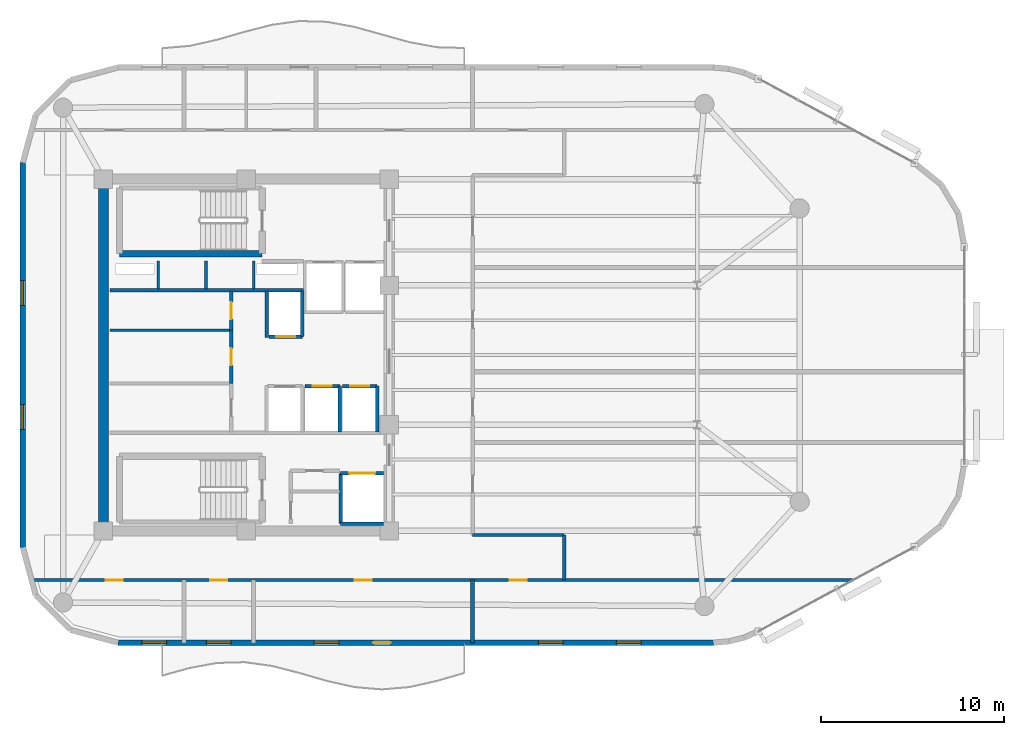
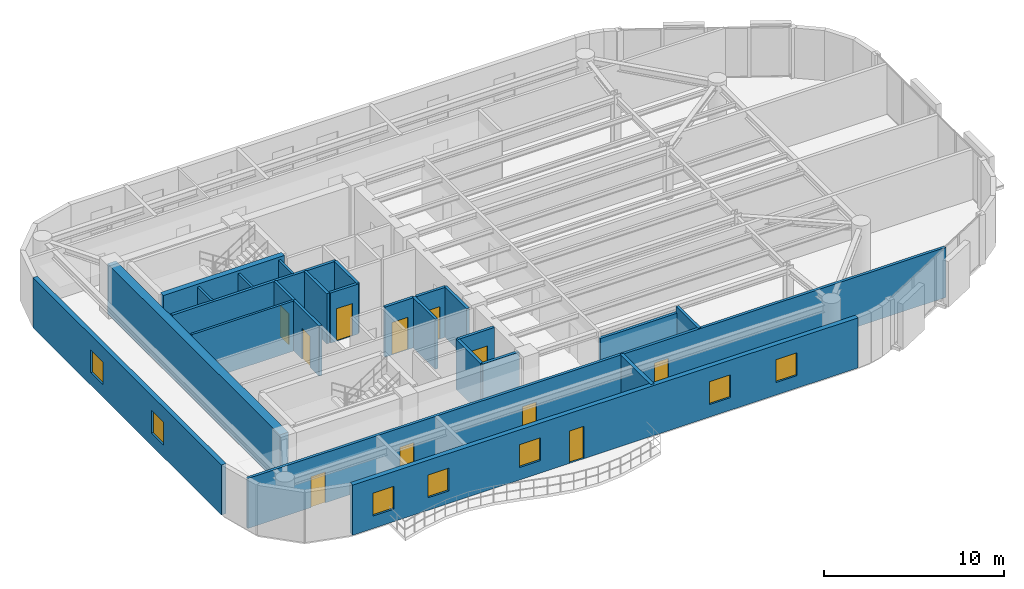
# One storey, part 9 of 13: 25 walls, 11 doors, 7 windows, 18 openings.
"""IFC4 building model written with IfcOpenShell, lengths in metres."""

from ifc_helpers import new_model, si_unit, direction, frame, frame_2d, origin, place, context, subcontext, project, spatial, rectangle, extrude, material, layer, layer_set, type_object, element, fill, save


model = new_model("IFC4")

# Units and contexts
model_context = context("Model", 3, precision=1e-05, world=origin(), true_north=direction((0.0, 1.0)))
body_context = subcontext(model_context, "Body", "Model", "MODEL_VIEW")
ifc_project = project(units=[si_unit("LENGTHUNIT", "METRE"), si_unit("AREAUNIT", "SQUARE_METRE"), si_unit("VOLUMEUNIT", "CUBIC_METRE"), si_unit("PLANEANGLEUNIT", "RADIAN"), si_unit("MASSUNIT", "GRAM", prefix="KILO")], contexts=[model_context])

# Site, building, storey
site_placement = place(None, origin())
site = spatial("IfcSite", under=ifc_project, at=site_placement, CompositionType="ELEMENT")
building_placement = place(site_placement, origin())
building = spatial("IfcBuilding", under=site, at=building_placement, Name="An Khanh Terracotta Commons", CompositionType="ELEMENT")
storey_placement = place(building_placement, frame((0.0, 0.0, 222.89990234375)))
storey = spatial("IfcBuildingStorey", under=building, at=storey_placement, Name="L58", CompositionType="ELEMENT", Elevation=222.89990234375)

# Walls
ifc_material_1 = material(Name="Concrete C50/60", Category="concrete")
ifc_layer_1 = layer(ifc_material_1, 0.550048828125, Name="Concrete C50/60")
ifc_layer_set_1 = layer_set([ifc_layer_1], Name="Concrete C50/60")
wall_type_1 = type_object("IfcWallType", Name="WALL-CORE-550", PredefinedType="SHEAR", material=ifc_layer_set_1)
wall_1_placement = place(storey_placement, frame((21.60009765625, 14.39990234375, 0.0), z_axis=(0.0, 0.0, 1.0), x_axis=(0.0, 1.0, 0.0)))
element("IfcWall", 1, at=wall_1_placement, inside=storey, type_object=wall_type_1, Name="L58 Core Wall CWALL-L58-W", PredefinedType="SHEAR", context=body_context, shape_type="SweptSolid", body=[
    extrude(rectangle(XDim=19.2001953125, YDim=0.550048828125, at=frame_2d((9.60009765625, 0.0))), origin(), (0.0, 0.0, 1.0), 3.400146484375),
])
ifc_material_2 = material(Name="Fire-Rated Gypsum Board on Steel Stud", Category="steel")
ifc_layer_2 = layer(ifc_material_2, 0.179931640625, Name="Fire-Rated Gypsum Board on Steel Stud")
ifc_layer_set_2 = layer_set([ifc_layer_2], Name="Fire-Rated Gypsum Board on Steel Stud")
wall_type_2 = type_object("IfcWallType", Name="WALL-CORR-180", PredefinedType="PARTITIONING", material=ifc_layer_set_2)
wall_2_placement = place(storey_placement, frame((21.949951171875, 27.5400390625, 0.0), z_axis=(0.0, 0.0, 1.0), x_axis=(1.0, 0.0, 0.0)))
element("IfcWall", 2, at=wall_2_placement, inside=storey, type_object=wall_type_2, Name="L58 Core Wall RSRW-L58-S", PredefinedType="PARTITIONING", context=body_context, shape_type="SweptSolid", body=[
    extrude(rectangle(XDim=10.56005859375, YDim=0.179931640625, at=frame_2d((5.280029296875, 0.0))), origin(), (0.0, 0.0, 1.0), 3.400146484375),
])

# Wall, opening, door
wall_3_placement = place(storey_placement, frame((34.550048828125, 17.550048828125, 0.0), z_axis=(0.0, 0.0, 1.0), x_axis=(1.0, 0.0, 0.0)))
wall_3 = element("IfcWall", 3, at=wall_3_placement, inside=storey, type_object=wall_type_2, Name="L58 Core Wall LSH-L58-SVL-01-N", PredefinedType="PARTITIONING", context=body_context, shape_type="SweptSolid", body=[
    extrude(rectangle(XDim=2.349853515625, YDim=0.179931640625, at=frame_2d((1.1748046875, 0.0))), origin(), (0.0, 0.0, 1.0), 3.400146484375),
])
opening_1_placement = place(wall_3_placement, frame((0.47509765625, 0.0, 0.0)))
opening_1 = element("IfcOpeningElement", 4, at=opening_1_placement, cuts=wall_3, Name="Opening LD-SVL-01-L58", PredefinedType="OPENING", context=body_context, shape_type="SweptSolid", body=[
    extrude(rectangle(XDim=1.39990234375, YDim=2.300048828125, at=frame_2d((0.699951171875, 1.14990234375))), frame((0.0, 0.099853515625, 0.0), z_axis=(0.0, -1.0, 0.0), x_axis=(1.0, 0.0, 0.0)), (0.0, 0.0, 1.0), 0.199951171875),
])
ifc_material_3 = material(Name="Heavy-Duty Stainless Steel Goods Landing Door", Category="steel")
door_type_1 = type_object("IfcDoorType", Name="DOOR-LD-SVL-1400", OperationType="NOTDEFINED", PredefinedType="DOOR", material=ifc_material_3)
door_1_placement = place(opening_1_placement, origin())
door_1 = element("IfcDoor", 5, at=door_1_placement, inside=storey, type_object=door_type_1, Name="L58 Lift SVL-01 Sliding Landing Door", OperationType="DOUBLE_DOOR_SLIDING", OverallHeight=2.300048828125, OverallWidth=1.39990234375, PredefinedType="DOOR", context=body_context, shape_type="SweptSolid", body=[
    extrude(rectangle(XDim=1.39990234375, YDim=2.300048828125, at=frame_2d((0.699951171875, 1.14990234375))), frame((0.0, 0.02490234375, 0.0), z_axis=(0.0, -1.0, 0.0), x_axis=(1.0, 0.0, 0.0)), (0.0, 0.0, 1.0), 0.050048828125),
])
fill(opening_1, door_1)

# Walls
wall_4_placement = place(storey_placement, frame((36.89990234375, 14.800048828125, 0.0), z_axis=(0.0, 0.0, 1.0), x_axis=(-1.0, 0.0, 0.0)))
element("IfcWall", 6, at=wall_4_placement, inside=storey, type_object=wall_type_2, Name="L58 Core Wall LSH-L58-SVL-01-S", PredefinedType="PARTITIONING", context=body_context, shape_type="SweptSolid", body=[
    extrude(rectangle(XDim=2.349853515625, YDim=0.179931640625, at=frame_2d((1.1748046875, 0.0))), origin(), (0.0, 0.0, 1.0), 3.400146484375),
])
wall_5_placement = place(storey_placement, frame((34.550048828125, 17.550048828125, 0.0), z_axis=(0.0, 0.0, 1.0), x_axis=(0.0, -1.0, 0.0)))
element("IfcWall", 7, at=wall_5_placement, inside=storey, type_object=wall_type_2, Name="L58 Core Wall LSH-L58-SVL-01-W", PredefinedType="PARTITIONING", context=body_context, shape_type="SweptSolid", body=[
    extrude(rectangle(XDim=2.75, YDim=0.179931640625, at=frame_2d((1.375, 0.0))), origin(), (0.0, 0.0, 1.0), 3.400146484375),
])

# Wall, opening, door
wall_6_placement = place(storey_placement, frame((32.4599609375, 25.0, 0.0), z_axis=(0.0, 0.0, 1.0), x_axis=(-1.0, 0.0, 0.0)))
wall_6 = element("IfcWall", 8, at=wall_6_placement, inside=storey, type_object=wall_type_2, Name="L58 Core Wall LSH-L58-PL-H1-S", PredefinedType="PARTITIONING", context=body_context, shape_type="SweptSolid", body=[
    extrude(rectangle(XDim=1.820068359375, YDim=0.179931640625, at=frame_2d((0.91015625, 0.0))), origin(), (0.0, 0.0, 1.0), 3.400146484375),
])
opening_2_placement = place(wall_6_placement, frame((0.385009765625, 0.0, 0.0)))
opening_2 = element("IfcOpeningElement", 9, at=opening_2_placement, cuts=wall_6, Name="Opening LD-PL-H1-L58", PredefinedType="OPENING", context=body_context, shape_type="SweptSolid", body=[
    extrude(rectangle(XDim=1.050048828125, YDim=2.199951171875, at=frame_2d((0.52490234375, 1.10009765625))), frame((0.0, 0.099853515625, 0.0), z_axis=(0.0, -1.0, 0.0), x_axis=(1.0, 0.0, 0.0)), (0.0, 0.0, 1.0), 0.199951171875),
])
ifc_material_4 = material(Name="Brushed Stainless Steel High-Rise Landing Door", Category="steel")
door_type_2 = type_object("IfcDoorType", Name="DOOR-LD-PAXH-1050", OperationType="NOTDEFINED", PredefinedType="DOOR", material=ifc_material_4)
door_2_placement = place(opening_2_placement, origin())
door_2 = element("IfcDoor", 10, at=door_2_placement, inside=storey, type_object=door_type_2, Name="L58 Lift PL-H1 Sliding Landing Door", OperationType="DOUBLE_DOOR_SLIDING", OverallHeight=2.199951171875, OverallWidth=1.050048828125, PredefinedType="DOOR", context=body_context, shape_type="SweptSolid", body=[
    extrude(rectangle(XDim=1.050048828125, YDim=2.199951171875, at=frame_2d((0.52490234375, 1.10009765625))), frame((0.0, 0.02490234375, 0.0), z_axis=(0.0, -1.0, 0.0), x_axis=(1.0, 0.0, 0.0)), (0.0, 0.0, 1.0), 0.050048828125),
])
fill(opening_2, door_2)

# Wall
wall_7_placement = place(storey_placement, frame((32.4599609375, 25.0, 0.0), z_axis=(0.0, 0.0, 1.0), x_axis=(0.0, 1.0, 0.0)))
element("IfcWall", 11, at=wall_7_placement, inside=storey, type_object=wall_type_2, Name="L58 Core Wall LSH-L58-PL-H1-E", PredefinedType="PARTITIONING", context=body_context, shape_type="SweptSolid", body=[
    extrude(rectangle(XDim=2.5, YDim=0.179931640625, at=frame_2d((1.25, 0.0))), origin(), (0.0, 0.0, 1.0), 3.400146484375),
])

# Wall, opening, door
wall_8_placement = place(storey_placement, frame((32.60009765625, 22.300048828125, 0.0), z_axis=(0.0, 0.0, 1.0), x_axis=(1.0, 0.0, 0.0)))
wall_8 = element("IfcWall", 12, at=wall_8_placement, inside=storey, type_object=wall_type_2, Name="L58 Core Wall LSH-L58-PL-H3-N", PredefinedType="PARTITIONING", context=body_context, shape_type="SweptSolid", body=[
    extrude(rectangle(XDim=1.89990234375, YDim=0.179931640625, at=frame_2d((0.949951171875, 0.0))), origin(), (0.0, 0.0, 1.0), 3.400146484375),
])
opening_3_placement = place(wall_8_placement, frame((0.425048828125, 0.0, 0.0)))
opening_3 = element("IfcOpeningElement", 13, at=opening_3_placement, cuts=wall_8, Name="Opening LD-PL-H3-L58", PredefinedType="OPENING", context=body_context, shape_type="SweptSolid", body=[
    extrude(rectangle(XDim=1.050048828125, YDim=2.199951171875, at=frame_2d((0.52490234375, 1.10009765625))), frame((0.0, 0.099853515625, 0.0), z_axis=(0.0, -1.0, 0.0), x_axis=(1.0, 0.0, 0.0)), (0.0, 0.0, 1.0), 0.199951171875),
])
door_3_placement = place(opening_3_placement, origin())
door_3 = element("IfcDoor", 14, at=door_3_placement, inside=storey, type_object=door_type_2, Name="L58 Lift PL-H3 Sliding Landing Door", OperationType="DOUBLE_DOOR_SLIDING", OverallHeight=2.199951171875, OverallWidth=1.050048828125, PredefinedType="DOOR", context=body_context, shape_type="SweptSolid", body=[
    extrude(rectangle(XDim=1.050048828125, YDim=2.199951171875, at=frame_2d((0.52490234375, 1.10009765625))), frame((0.0, 0.02490234375, 0.0), z_axis=(0.0, -1.0, 0.0), x_axis=(1.0, 0.0, 0.0)), (0.0, 0.0, 1.0), 0.050048828125),
])
fill(opening_3, door_3)

# Wall
wall_9_placement = place(storey_placement, frame((34.5, 19.800048828125, 0.0), z_axis=(0.0, 0.0, 1.0), x_axis=(0.0, 1.0, 0.0)))
element("IfcWall", 15, at=wall_9_placement, inside=storey, type_object=wall_type_2, Name="L58 Core Wall LSH-L58-PL-H3-E", PredefinedType="PARTITIONING", context=body_context, shape_type="SweptSolid", body=[
    extrude(rectangle(XDim=2.5, YDim=0.179931640625, at=frame_2d((1.25, 0.0))), origin(), (0.0, 0.0, 1.0), 3.400146484375),
])

# Wall, opening, door
wall_10_placement = place(storey_placement, frame((34.639892578125, 22.300048828125, 0.0), z_axis=(0.0, 0.0, 1.0), x_axis=(1.0, 0.0, 0.0)))
wall_10 = element("IfcWall", 16, at=wall_10_placement, inside=storey, type_object=wall_type_2, Name="L58 Core Wall LSH-L58-PL-H4-N", PredefinedType="PARTITIONING", context=body_context, shape_type="SweptSolid", body=[
    extrude(rectangle(XDim=1.900146484375, YDim=0.179931640625, at=frame_2d((0.9501953125, 0.0))), origin(), (0.0, 0.0, 1.0), 3.400146484375),
])
opening_4_placement = place(wall_10_placement, frame((0.425048828125, 0.0, 0.0)))
opening_4 = element("IfcOpeningElement", 17, at=opening_4_placement, cuts=wall_10, Name="Opening LD-PL-H4-L58", PredefinedType="OPENING", context=body_context, shape_type="SweptSolid", body=[
    extrude(rectangle(XDim=1.050048828125, YDim=2.199951171875, at=frame_2d((0.52490234375, 1.10009765625))), frame((0.0, 0.099853515625, 0.0), z_axis=(0.0, -1.0, 0.0), x_axis=(1.0, 0.0, 0.0)), (0.0, 0.0, 1.0), 0.199951171875),
])
door_4_placement = place(opening_4_placement, origin())
door_4 = element("IfcDoor", 18, at=door_4_placement, inside=storey, type_object=door_type_2, Name="L58 Lift PL-H4 Sliding Landing Door", OperationType="DOUBLE_DOOR_SLIDING", OverallHeight=2.199951171875, OverallWidth=1.050048828125, PredefinedType="DOOR", context=body_context, shape_type="SweptSolid", body=[
    extrude(rectangle(XDim=1.050048828125, YDim=2.199951171875, at=frame_2d((0.52490234375, 1.10009765625))), frame((0.0, 0.02490234375, 0.0), z_axis=(0.0, -1.0, 0.0), x_axis=(1.0, 0.0, 0.0)), (0.0, 0.0, 1.0), 0.050048828125),
])
fill(opening_4, door_4)

# Walls
wall_11_placement = place(storey_placement, frame((36.5400390625, 19.800048828125, 0.0), z_axis=(0.0, 0.0, 1.0), x_axis=(0.0, 1.0, 0.0)))
element("IfcWall", 19, at=wall_11_placement, inside=storey, type_object=wall_type_2, Name="L58 Core Wall LSH-L58-PL-H4-E", PredefinedType="PARTITIONING", context=body_context, shape_type="SweptSolid", body=[
    extrude(rectangle(XDim=2.5, YDim=0.179931640625, at=frame_2d((1.25, 0.0))), origin(), (0.0, 0.0, 1.0), 3.400146484375),
])
wall_12_placement = place(storey_placement, frame((30.52001953125, 24.949951171875, 0.0), z_axis=(0.0, 0.0, 1.0), x_axis=(0.0, 1.0, 0.0)))
element("IfcWall", 20, at=wall_12_placement, inside=storey, type_object=wall_type_2, Name="L58 Core Wall RECW-L58-BE1", PredefinedType="PARTITIONING", context=body_context, shape_type="SweptSolid", body=[
    extrude(rectangle(XDim=2.550048828125, YDim=0.179931640625, at=frame_2d((1.27490234375, 0.0))), origin(), (0.0, 0.0, 1.0), 3.400146484375),
])

# Wall, opening, door
wall_13_placement = place(storey_placement, frame((28.580078125, 25.35009765625, 0.0), z_axis=(0.0, 0.0, 1.0), x_axis=(0.0, 1.0, 0.0)))
wall_13 = element("IfcWall", 21, at=wall_13_placement, inside=storey, type_object=wall_type_2, Name="L58 Core Wall RECW-L58-E1", PredefinedType="PARTITIONING", context=body_context, shape_type="SweptSolid", body=[
    extrude(rectangle(XDim=2.14990234375, YDim=0.179931640625, at=frame_2d((1.074951171875, 0.0))), origin(), (0.0, 0.0, 1.0), 3.400146484375),
])
opening_5_placement = place(wall_13_placement, frame((0.614990234375, 0.0, 0.0)))
opening_5 = element("IfcOpeningElement", 22, at=opening_5_placement, cuts=wall_13, Name="Opening D-RM", PredefinedType="OPENING", context=body_context, shape_type="SweptSolid", body=[
    extrude(rectangle(XDim=0.919921875, YDim=2.10009765625, at=frame_2d((0.4599609375, 1.050048828125))), frame((0.0, 0.099853515625, 0.0), z_axis=(0.0, -1.0, 0.0), x_axis=(1.0, 0.0, 0.0)), (0.0, 0.0, 1.0), 0.199951171875),
])
ifc_material_5 = material(Name="Engineered Hardwood Timber Leaf", Category="wood")
door_type_3 = type_object("IfcDoorType", Name="DOOR-INT-920", OperationType="NOTDEFINED", PredefinedType="DOOR", material=ifc_material_5)
door_5_placement = place(opening_5_placement, origin())
door_5 = element("IfcDoor", 23, at=door_5_placement, inside=storey, type_object=door_type_3, Name="L58 Quiet Focus Pod Door", OperationType="SINGLE_SWING_LEFT", OverallHeight=2.10009765625, OverallWidth=0.919921875, PredefinedType="DOOR", context=body_context, shape_type="SweptSolid", body=[
    extrude(rectangle(XDim=0.919921875, YDim=2.10009765625, at=frame_2d((0.4599609375, 1.050048828125))), frame((0.0, 0.02490234375, 0.0), z_axis=(0.0, -1.0, 0.0), x_axis=(1.0, 0.0, 0.0)), (0.0, 0.0, 1.0), 0.050048828125),
])
fill(opening_5, door_5)

wall_14_placement = place(storey_placement, frame((28.580078125, 22.449951171875, 0.0), z_axis=(0.0, 0.0, 1.0), x_axis=(0.0, 1.0, 0.0)))
wall_14 = element("IfcWall", 24, at=wall_14_placement, inside=storey, type_object=wall_type_2, Name="L58 Core Wall RECW-L58-E2", PredefinedType="PARTITIONING", context=body_context, shape_type="SweptSolid", body=[
    extrude(rectangle(XDim=2.900146484375, YDim=0.179931640625, at=frame_2d((1.4501953125, 0.0))), origin(), (0.0, 0.0, 1.0), 3.400146484375),
])
opening_6_placement = place(wall_14_placement, frame((0.989990234375, 0.0, 0.0)))
opening_6 = element("IfcOpeningElement", 25, at=opening_6_placement, cuts=wall_14, Name="Opening D-RM", PredefinedType="OPENING", context=body_context, shape_type="SweptSolid", body=[
    extrude(rectangle(XDim=0.919921875, YDim=2.10009765625, at=frame_2d((0.4599609375, 1.050048828125))), frame((0.0, 0.099853515625, 0.0), z_axis=(0.0, -1.0, 0.0), x_axis=(1.0, 0.0, 0.0)), (0.0, 0.0, 1.0), 0.199951171875),
])
door_6_placement = place(opening_6_placement, origin())
door_6 = element("IfcDoor", 26, at=door_6_placement, inside=storey, type_object=door_type_3, Name="L58 Floor Pantry and Tea Room Door", OperationType="SINGLE_SWING_RIGHT", OverallHeight=2.10009765625, OverallWidth=0.919921875, PredefinedType="DOOR", context=body_context, shape_type="SweptSolid", body=[
    extrude(rectangle(XDim=0.919921875, YDim=2.10009765625, at=frame_2d((0.4599609375, 1.050048828125))), frame((0.0, 0.02490234375, 0.0), z_axis=(0.0, -1.0, 0.0), x_axis=(1.0, 0.0, 0.0)), (0.0, 0.0, 1.0), 0.050048828125),
])
fill(opening_6, door_6)

# Wall, openings, doors
wall_15_placement = place(storey_placement, frame((17.677001953125, 11.719970703125, 0.0), z_axis=(0.0, 0.0, 1.0), x_axis=(1.0, 0.0, 0.0)))
wall_15 = element("IfcWall", 27, at=wall_15_placement, inside=storey, type_object=wall_type_2, Name="L58 Interior Partition IW-L58-E001", PredefinedType="PARTITIONING", context=body_context, shape_type="SweptSolid", body=[
    extrude(rectangle(XDim=44.85302734375, YDim=0.179931640625, at=frame_2d((22.426513671875, 0.0))), origin(), (0.0, 0.0, 1.0), 3.400146484375),
])
opening_7_placement = place(wall_15_placement, frame((9.762939453125, 0.0, 0.0)))
opening_7 = element("IfcOpeningElement", 28, at=opening_7_placement, cuts=wall_15, Name="Opening D-RM", PredefinedType="OPENING", context=body_context, shape_type="SweptSolid", body=[
    extrude(rectangle(XDim=0.919921875, YDim=2.10009765625, at=frame_2d((0.4599609375, 1.050048828125))), frame((0.0, 0.099853515625, 0.0), z_axis=(0.0, -1.0, 0.0), x_axis=(1.0, 0.0, 0.0)), (0.0, 0.0, 1.0), 0.199951171875),
])
opening_8_placement = place(wall_15_placement, frame((26.113037109375, 0.0, 0.0)))
opening_8 = element("IfcOpeningElement", 29, at=opening_8_placement, cuts=wall_15, Name="Opening D-RM", PredefinedType="OPENING", context=body_context, shape_type="SweptSolid", body=[
    extrude(rectangle(XDim=0.919921875, YDim=2.10009765625, at=frame_2d((0.4599609375, 1.050048828125))), frame((0.0, 0.099853515625, 0.0), z_axis=(0.0, -1.0, 0.0), x_axis=(1.0, 0.0, 0.0)), (0.0, 0.0, 1.0), 0.199951171875),
])
opening_9_placement = place(wall_15_placement, frame((4.06298828125, 0.0, 0.0)))
opening_9 = element("IfcOpeningElement", 30, at=opening_9_placement, cuts=wall_15, Name="Opening D-RM", PredefinedType="OPENING", context=body_context, shape_type="SweptSolid", body=[
    extrude(rectangle(XDim=0.919921875, YDim=2.10009765625, at=frame_2d((0.4599609375, 1.050048828125))), frame((0.0, 0.099853515625, 0.0), z_axis=(0.0, -1.0, 0.0), x_axis=(1.0, 0.0, 0.0)), (0.0, 0.0, 1.0), 0.199951171875),
])
opening_10_placement = place(wall_15_placement, frame((17.637939453125, 0.0, 0.0)))
opening_10 = element("IfcOpeningElement", 31, at=opening_10_placement, cuts=wall_15, Name="Opening D-RM", PredefinedType="OPENING", context=body_context, shape_type="SweptSolid", body=[
    extrude(rectangle(XDim=0.919921875, YDim=2.10009765625, at=frame_2d((0.4599609375, 1.050048828125))), frame((0.0, 0.099853515625, 0.0), z_axis=(0.0, -1.0, 0.0), x_axis=(1.0, 0.0, 0.0)), (0.0, 0.0, 1.0), 0.199951171875),
])
door_7_placement = place(opening_7_placement, origin())
door_7 = element("IfcDoor", 32, at=door_7_placement, inside=storey, type_object=door_type_3, Name="L58 HKP Housekeeping Linen Store Door", OperationType="SINGLE_SWING_RIGHT", OverallHeight=2.10009765625, OverallWidth=0.919921875, PredefinedType="DOOR", context=body_context, shape_type="SweptSolid", body=[
    extrude(rectangle(XDim=0.919921875, YDim=2.10009765625, at=frame_2d((0.4599609375, 1.050048828125))), frame((0.0, 0.02490234375, 0.0), z_axis=(0.0, -1.0, 0.0), x_axis=(1.0, 0.0, 0.0)), (0.0, 0.0, 1.0), 0.050048828125),
])
fill(opening_7, door_7)
door_8_placement = place(opening_8_placement, origin())
door_8 = element("IfcDoor", 33, at=door_8_placement, inside=storey, type_object=door_type_3, Name="L58 FANS Quiet Focus Office Door", OperationType="SINGLE_SWING_RIGHT", OverallHeight=2.10009765625, OverallWidth=0.919921875, PredefinedType="DOOR", context=body_context, shape_type="SweptSolid", body=[
    extrude(rectangle(XDim=0.919921875, YDim=2.10009765625, at=frame_2d((0.4599609375, 1.050048828125))), frame((0.0, 0.02490234375, 0.0), z_axis=(0.0, -1.0, 0.0), x_axis=(1.0, 0.0, 0.0)), (0.0, 0.0, 1.0), 0.050048828125),
])
fill(opening_8, door_8)
door_9_placement = place(opening_9_placement, origin())
door_9 = element("IfcDoor", 34, at=door_9_placement, inside=storey, type_object=door_type_3, Name="L58 SW1 Student Reading Library Door", OperationType="SINGLE_SWING_LEFT", OverallHeight=2.10009765625, OverallWidth=0.919921875, PredefinedType="DOOR", context=body_context, shape_type="SweptSolid", body=[
    extrude(rectangle(XDim=0.919921875, YDim=2.10009765625, at=frame_2d((0.4599609375, 1.050048828125))), frame((0.0, 0.02490234375, 0.0), z_axis=(0.0, -1.0, 0.0), x_axis=(1.0, 0.0, 0.0)), (0.0, 0.0, 1.0), 0.050048828125),
])
fill(opening_9, door_9)
door_10_placement = place(opening_10_placement, origin())
door_10 = element("IfcDoor", 35, at=door_10_placement, inside=storey, type_object=door_type_3, Name="L58 SWE Music Practice Room Door", OperationType="SINGLE_SWING_RIGHT", OverallHeight=2.10009765625, OverallWidth=0.919921875, PredefinedType="DOOR", context=body_context, shape_type="SweptSolid", body=[
    extrude(rectangle(XDim=0.919921875, YDim=2.10009765625, at=frame_2d((0.4599609375, 1.050048828125))), frame((0.0, 0.02490234375, 0.0), z_axis=(0.0, -1.0, 0.0), x_axis=(1.0, 0.0, 0.0)), (0.0, 0.0, 1.0), 0.050048828125),
])
fill(opening_10, door_10)

# Walls
wall_16_placement = place(storey_placement, frame((41.75, 14.179931640625, 0.0), z_axis=(0.0, 0.0, 1.0), x_axis=(1.0, 0.0, 0.0)))
element("IfcWall", 36, at=wall_16_placement, inside=storey, type_object=wall_type_2, Name="L58 Interior Partition IW-L58-E002", PredefinedType="PARTITIONING", context=body_context, shape_type="SweptSolid", body=[
    extrude(rectangle(XDim=5.0, YDim=0.179931640625, at=frame_2d((2.5, 0.0))), origin(), (0.0, 0.0, 1.0), 2.982177734375),
])
wall_17_placement = place(storey_placement, frame((46.75, 11.719970703125, 0.0), z_axis=(0.0, 0.0, 1.0), x_axis=(0.0, 1.0, 0.0)))
element("IfcWall", 37, at=wall_17_placement, inside=storey, type_object=wall_type_2, Name="L58 Interior Partition IW-L58-E016", PredefinedType="PARTITIONING", context=body_context, shape_type="SweptSolid", body=[
    extrude(rectangle(XDim=2.4599609375, YDim=0.179931640625, at=frame_2d((1.22998046875, 0.0))), origin(), (0.0, 0.0, 1.0), 3.400146484375),
])

# Wall, openings, door, windows
ifc_material_6 = material(Name="Precast concrete C40/50", Category="concrete")
ifc_layer_3 = layer(ifc_material_6, 0.300048828125, Name="Precast concrete C40/50")
ifc_layer_set_3 = layer_set([ifc_layer_3], Name="Precast concrete C40/50")
wall_type_3 = type_object("IfcWallType", Name="WALL-EXT-300", PredefinedType="SOLIDWALL", material=ifc_layer_set_3)
wall_18_placement = place(storey_placement, frame((22.39990234375, 8.300048828125, 0.0), z_axis=(0.0, 0.0, 1.0), x_axis=(1.0, 0.0, 0.0)))
wall_18 = element("IfcWall", 38, at=wall_18_placement, inside=storey, type_object=wall_type_3, Name="L58 Insulated Terracotta Exterior Wall 4", PredefinedType="SOLIDWALL", context=body_context, shape_type="SweptSolid", body=[
    extrude(rectangle(XDim=32.485107421875, YDim=0.300048828125, at=frame_2d((16.24267578125, 0.0))), origin(), (0.0, 0.0, 1.0), 3.400146484375),
])
opening_11_placement = place(wall_18_placement, frame((13.925048828125, 0.0, 0.0)))
opening_11 = element("IfcOpeningElement", 39, at=opening_11_placement, cuts=wall_18, Name="Opening D-BAL", PredefinedType="OPENING", context=body_context, shape_type="SweptSolid", body=[
    extrude(rectangle(XDim=0.949951171875, YDim=2.199951171875, at=frame_2d((0.47509765625, 1.10009765625))), frame((0.0, 0.159912109375, 0.0), z_axis=(0.0, -1.0, 0.0), x_axis=(1.0, 0.0, 0.0)), (0.0, 0.0, 1.0), 0.320068359375),
])
opening_12_placement = place(wall_18_placement, frame((1.300048828125, 0.0, 0.85009765625)))
opening_12 = element("IfcOpeningElement", 40, at=opening_12_placement, cuts=wall_18, Name="Opening W-04", PredefinedType="OPENING", context=body_context, shape_type="SweptSolid", body=[
    extrude(rectangle(XDim=1.35009765625, YDim=1.550048828125, at=frame_2d((0.675048828125, 0.77490234375))), frame((0.0, 0.159912109375, 0.0), z_axis=(0.0, -1.0, 0.0), x_axis=(1.0, 0.0, 0.0)), (0.0, 0.0, 1.0), 0.320068359375),
])
opening_13_placement = place(wall_18_placement, frame((4.824951171875, 0.0, 0.85009765625)))
opening_13 = element("IfcOpeningElement", 41, at=opening_13_placement, cuts=wall_18, Name="Opening W-04", PredefinedType="OPENING", context=body_context, shape_type="SweptSolid", body=[
    extrude(rectangle(XDim=1.35009765625, YDim=1.550048828125, at=frame_2d((0.675048828125, 0.77490234375))), frame((0.0, 0.159912109375, 0.0), z_axis=(0.0, -1.0, 0.0), x_axis=(1.0, 0.0, 0.0)), (0.0, 0.0, 1.0), 0.320068359375),
])
opening_14_placement = place(wall_18_placement, frame((10.7080078125, 0.0, 0.85009765625)))
opening_14 = element("IfcOpeningElement", 42, at=opening_14_placement, cuts=wall_18, Name="Opening W-04", PredefinedType="OPENING", context=body_context, shape_type="SweptSolid", body=[
    extrude(rectangle(XDim=1.35009765625, YDim=1.550048828125, at=frame_2d((0.675048828125, 0.77490234375))), frame((0.0, 0.159912109375, 0.0), z_axis=(0.0, -1.0, 0.0), x_axis=(1.0, 0.0, 0.0)), (0.0, 0.0, 1.0), 0.320068359375),
])
opening_15_placement = place(wall_18_placement, frame((22.93701171875, 0.0, 0.85009765625)))
opening_15 = element("IfcOpeningElement", 43, at=opening_15_placement, cuts=wall_18, Name="Opening W-04", PredefinedType="OPENING", context=body_context, shape_type="SweptSolid", body=[
    extrude(rectangle(XDim=1.35009765625, YDim=1.550048828125, at=frame_2d((0.675048828125, 0.77490234375))), frame((0.0, 0.159912109375, 0.0), z_axis=(0.0, -1.0, 0.0), x_axis=(1.0, 0.0, 0.0)), (0.0, 0.0, 1.0), 0.320068359375),
])
opening_16_placement = place(wall_18_placement, frame((27.197998046875, 0.0, 0.85009765625)))
opening_16 = element("IfcOpeningElement", 44, at=opening_16_placement, cuts=wall_18, Name="Opening W-04", PredefinedType="OPENING", context=body_context, shape_type="SweptSolid", body=[
    extrude(rectangle(XDim=1.35009765625, YDim=1.550048828125, at=frame_2d((0.675048828125, 0.77490234375))), frame((0.0, 0.159912109375, 0.0), z_axis=(0.0, -1.0, 0.0), x_axis=(1.0, 0.0, 0.0)), (0.0, 0.0, 1.0), 0.320068359375),
])
ifc_material_7 = material(Name="Thermally Broken Aluminium and Low-E Glass", Category="aluminium")
door_type_4 = type_object("IfcDoorType", Name="DOOR-BALC-950", OperationType="NOTDEFINED", PredefinedType="DOOR", material=ifc_material_7)
door_11_placement = place(opening_11_placement, origin())
door_11 = element("IfcDoor", 45, at=door_11_placement, inside=storey, type_object=door_type_4, Name="L58 S Wave Balcony Glazed Door", OperationType="SINGLE_SWING_LEFT", OverallHeight=2.199951171875, OverallWidth=0.949951171875, PredefinedType="DOOR", context=body_context, shape_type="SweptSolid", body=[
    extrude(rectangle(XDim=0.949951171875, YDim=2.199951171875, at=frame_2d((0.47509765625, 1.10009765625))), frame((0.0, 0.02490234375, 0.0), z_axis=(0.0, -1.0, 0.0), x_axis=(1.0, 0.0, 0.0)), (0.0, 0.0, 1.0), 0.050048828125),
])
fill(opening_11, door_11)
window_type = type_object("IfcWindowType", Name="WIN-Z4-1350x1550", PartitioningType="SINGLE_PANEL", PredefinedType="WINDOW", material=ifc_material_7)
window_1_placement = place(opening_12_placement, origin())
window_1 = element("IfcWindow", 46, at=window_1_placement, inside=storey, type_object=window_type, Name="L58 Operable Casement Window 4.1", OverallHeight=1.550048828125, OverallWidth=1.35009765625, PartitioningType="SINGLE_PANEL", PredefinedType="WINDOW", context=body_context, shape_type="SweptSolid", body=[
    extrude(rectangle(XDim=1.35009765625, YDim=1.550048828125, at=frame_2d((0.675048828125, 0.77490234375))), frame((0.0, 0.030029296875, 0.0), z_axis=(0.0, -1.0, 0.0), x_axis=(1.0, 0.0, 0.0)), (0.0, 0.0, 1.0), 0.06005859375),
])
fill(opening_12, window_1)
window_2_placement = place(opening_13_placement, origin())
window_2 = element("IfcWindow", 47, at=window_2_placement, inside=storey, type_object=window_type, Name="L58 Operable Casement Window 4.2", OverallHeight=1.550048828125, OverallWidth=1.35009765625, PartitioningType="SINGLE_PANEL", PredefinedType="WINDOW", context=body_context, shape_type="SweptSolid", body=[
    extrude(rectangle(XDim=1.35009765625, YDim=1.550048828125, at=frame_2d((0.675048828125, 0.77490234375))), frame((0.0, 0.030029296875, 0.0), z_axis=(0.0, -1.0, 0.0), x_axis=(1.0, 0.0, 0.0)), (0.0, 0.0, 1.0), 0.06005859375),
])
fill(opening_13, window_2)
window_3_placement = place(opening_14_placement, origin())
window_3 = element("IfcWindow", 48, at=window_3_placement, inside=storey, type_object=window_type, Name="L58 Operable Casement Window 4.3", OverallHeight=1.550048828125, OverallWidth=1.35009765625, PartitioningType="SINGLE_PANEL", PredefinedType="WINDOW", context=body_context, shape_type="SweptSolid", body=[
    extrude(rectangle(XDim=1.35009765625, YDim=1.550048828125, at=frame_2d((0.675048828125, 0.77490234375))), frame((0.0, 0.030029296875, 0.0), z_axis=(0.0, -1.0, 0.0), x_axis=(1.0, 0.0, 0.0)), (0.0, 0.0, 1.0), 0.06005859375),
])
fill(opening_14, window_3)
window_4_placement = place(opening_15_placement, origin())
window_4 = element("IfcWindow", 49, at=window_4_placement, inside=storey, type_object=window_type, Name="L58 Operable Casement Window 4.4", OverallHeight=1.550048828125, OverallWidth=1.35009765625, PartitioningType="SINGLE_PANEL", PredefinedType="WINDOW", context=body_context, shape_type="SweptSolid", body=[
    extrude(rectangle(XDim=1.35009765625, YDim=1.550048828125, at=frame_2d((0.675048828125, 0.77490234375))), frame((0.0, 0.030029296875, 0.0), z_axis=(0.0, -1.0, 0.0), x_axis=(1.0, 0.0, 0.0)), (0.0, 0.0, 1.0), 0.06005859375),
])
fill(opening_15, window_4)
window_5_placement = place(opening_16_placement, origin())
window_5 = element("IfcWindow", 50, at=window_5_placement, inside=storey, type_object=window_type, Name="L58 Operable Casement Window 4.5", OverallHeight=1.550048828125, OverallWidth=1.35009765625, PartitioningType="SINGLE_PANEL", PredefinedType="WINDOW", context=body_context, shape_type="SweptSolid", body=[
    extrude(rectangle(XDim=1.35009765625, YDim=1.550048828125, at=frame_2d((0.675048828125, 0.77490234375))), frame((0.0, 0.030029296875, 0.0), z_axis=(0.0, -1.0, 0.0), x_axis=(1.0, 0.0, 0.0)), (0.0, 0.0, 1.0), 0.06005859375),
])
fill(opening_16, window_5)

# Wall, openings, windows
wall_19_placement = place(storey_placement, frame((17.199951171875, 34.5, 0.0), z_axis=(0.0, 0.0, 1.0), x_axis=(0.0, -1.0, 0.0)))
wall_19 = element("IfcWall", 51, at=wall_19_placement, inside=storey, type_object=wall_type_3, Name="L58 Insulated Terracotta Exterior Wall 24", PredefinedType="SOLIDWALL", context=body_context, shape_type="SweptSolid", body=[
    extrude(rectangle(XDim=21.0, YDim=0.300048828125, at=frame_2d((10.5, 0.0))), origin(), (0.0, 0.0, 1.0), 3.400146484375),
])
opening_17_placement = place(wall_19_placement, frame((6.44189453125, 0.0, 0.85009765625)))
opening_17 = element("IfcOpeningElement", 52, at=opening_17_placement, cuts=wall_19, Name="Opening W-04", PredefinedType="OPENING", context=body_context, shape_type="SweptSolid", body=[
    extrude(rectangle(XDim=1.35009765625, YDim=1.550048828125, at=frame_2d((0.675048828125, 0.77490234375))), frame((0.0, 0.159912109375, 0.0), z_axis=(0.0, -1.0, 0.0), x_axis=(1.0, 0.0, 0.0)), (0.0, 0.0, 1.0), 0.320068359375),
])
opening_18_placement = place(wall_19_placement, frame((13.2080078125, 0.0, 0.85009765625)))
opening_18 = element("IfcOpeningElement", 53, at=opening_18_placement, cuts=wall_19, Name="Opening W-04", PredefinedType="OPENING", context=body_context, shape_type="SweptSolid", body=[
    extrude(rectangle(XDim=1.35009765625, YDim=1.550048828125, at=frame_2d((0.675048828125, 0.77490234375))), frame((0.0, 0.159912109375, 0.0), z_axis=(0.0, -1.0, 0.0), x_axis=(1.0, 0.0, 0.0)), (0.0, 0.0, 1.0), 0.320068359375),
])
window_6_placement = place(opening_17_placement, origin())
window_6 = element("IfcWindow", 54, at=window_6_placement, inside=storey, type_object=window_type, Name="L58 Operable Casement Window 24.1", OverallHeight=1.550048828125, OverallWidth=1.35009765625, PartitioningType="SINGLE_PANEL", PredefinedType="WINDOW", context=body_context, shape_type="SweptSolid", body=[
    extrude(rectangle(XDim=1.35009765625, YDim=1.550048828125, at=frame_2d((0.675048828125, 0.77490234375))), frame((0.0, 0.030029296875, 0.0), z_axis=(0.0, -1.0, 0.0), x_axis=(1.0, 0.0, 0.0)), (0.0, 0.0, 1.0), 0.06005859375),
])
fill(opening_17, window_6)
window_7_placement = place(opening_18_placement, origin())
window_7 = element("IfcWindow", 55, at=window_7_placement, inside=storey, type_object=window_type, Name="L58 Operable Casement Window 24.2", OverallHeight=1.550048828125, OverallWidth=1.35009765625, PartitioningType="SINGLE_PANEL", PredefinedType="WINDOW", context=body_context, shape_type="SweptSolid", body=[
    extrude(rectangle(XDim=1.35009765625, YDim=1.550048828125, at=frame_2d((0.675048828125, 0.77490234375))), frame((0.0, 0.030029296875, 0.0), z_axis=(0.0, -1.0, 0.0), x_axis=(1.0, 0.0, 0.0)), (0.0, 0.0, 1.0), 0.06005859375),
])
fill(opening_18, window_7)

# Walls
ifc_material_8 = material(Name="Acoustic Gypsum Board Partition")
ifc_layer_4 = layer(ifc_material_8, 0.14990234375, Name="Acoustic Gypsum Board Partition")
ifc_layer_set_4 = layer_set([ifc_layer_4], Name="Acoustic Gypsum Board Partition")
wall_type_4 = type_object("IfcWallType", Name="WALL-PART-150", PredefinedType="PARTITIONING", material=ifc_layer_set_4)
for number, where, z_axis, x_axis, name in (
    (56, (24.60009765625, 27.60009765625, 0.0), (0.0, 0.0, 1.0), (0.0, 1.0, 0.0), "L58 Core Wall RSRW-L58-D1"),
    (57, (27.199951171875, 27.60009765625, 0.0), (0.0, 0.0, 1.0), (0.0, 1.0, 0.0), "L58 Core Wall RSRW-L58-D2"),
    (58, (29.800048828125, 27.60009765625, 0.0), (0.0, 0.0, 1.0), (0.0, 1.0, 0.0), "L58 Core Wall RSRW-L58-D3"),
):
    element("IfcWall", number, at=place(storey_placement, frame(where, z_axis=z_axis, x_axis=x_axis)), inside=storey, type_object=wall_type_4, Name=name, PredefinedType="PARTITIONING", context=body_context, shape_type="SweptSolid", body=[
        extrude(rectangle(XDim=1.52001953125, YDim=0.14990234375, at=frame_2d((0.760009765625, 0.0))), origin(), (0.0, 0.0, 1.0), 3.400146484375),
    ])
wall_20_placement = place(storey_placement, frame((21.949951171875, 25.35009765625, 0.0), z_axis=(0.0, 0.0, 1.0), x_axis=(1.0, 0.0, 0.0)))
element("IfcWall", 59, at=wall_20_placement, inside=storey, type_object=wall_type_4, Name="L58 Core Wall RECW-L58-H1", PredefinedType="PARTITIONING", context=body_context, shape_type="SweptSolid", body=[
    extrude(rectangle(XDim=6.630126953125, YDim=0.14990234375, at=frame_2d((3.31494140625, 0.0))), origin(), (0.0, 0.0, 1.0), 3.400146484375),
])
ifc_material_9 = material(Name="Acoustic Double-Stud Gypsum and Mineral Wool")
ifc_layer_5 = layer(ifc_material_9, 0.219970703125, Name="Acoustic Double-Stud Gypsum and Mineral Wool")
ifc_layer_set_5 = layer_set([ifc_layer_5], Name="Acoustic Double-Stud Gypsum and Mineral Wool")
wall_type_5 = type_object("IfcWallType", Name="WALL-PARTY-220", PredefinedType="PARTITIONING", material=ifc_layer_set_5)
wall_21_placement = place(storey_placement, frame((41.75, 8.300048828125, 0.0), z_axis=(0.0, 0.0, 1.0), x_axis=(0.0, 1.0, 0.0)))
element("IfcWall", 60, at=wall_21_placement, inside=storey, type_object=wall_type_5, Name="L58 Interior Partition IW-L58-E013", PredefinedType="PARTITIONING", context=body_context, shape_type="SweptSolid", body=[
    extrude(rectangle(XDim=3.419921875, YDim=0.219970703125, at=frame_2d((1.7099609375, 0.0))), origin(), (0.0, 0.0, 1.0), 3.400146484375),
])
ifc_layer_6 = layer(ifc_material_1, 0.35009765625, Name="Concrete C50/60")
ifc_layer_set_6 = layer_set([ifc_layer_6], Name="Concrete C50/60")
wall_type_6 = type_object("IfcWallType", Name="WALL-SHAFT-350", PredefinedType="SOLIDWALL", material=ifc_layer_set_6)
wall_22_placement = place(storey_placement, frame((22.47998046875, 29.530029296875, 0.0), z_axis=(0.0, 0.0, 1.0), x_axis=(1.0, 0.0, 0.0)))
element("IfcWall", 61, at=wall_22_placement, inside=storey, type_object=wall_type_6, Name="L58 Core Wall STW-L58-N-S", PredefinedType="SOLIDWALL", context=body_context, shape_type="SweptSolid", body=[
    extrude(rectangle(XDim=7.7900390625, YDim=0.35009765625, at=frame_2d((3.89501953125, 0.0))), origin(), (0.0, 0.0, 1.0), 3.400146484375),
])

save(model, "model.ifc")
